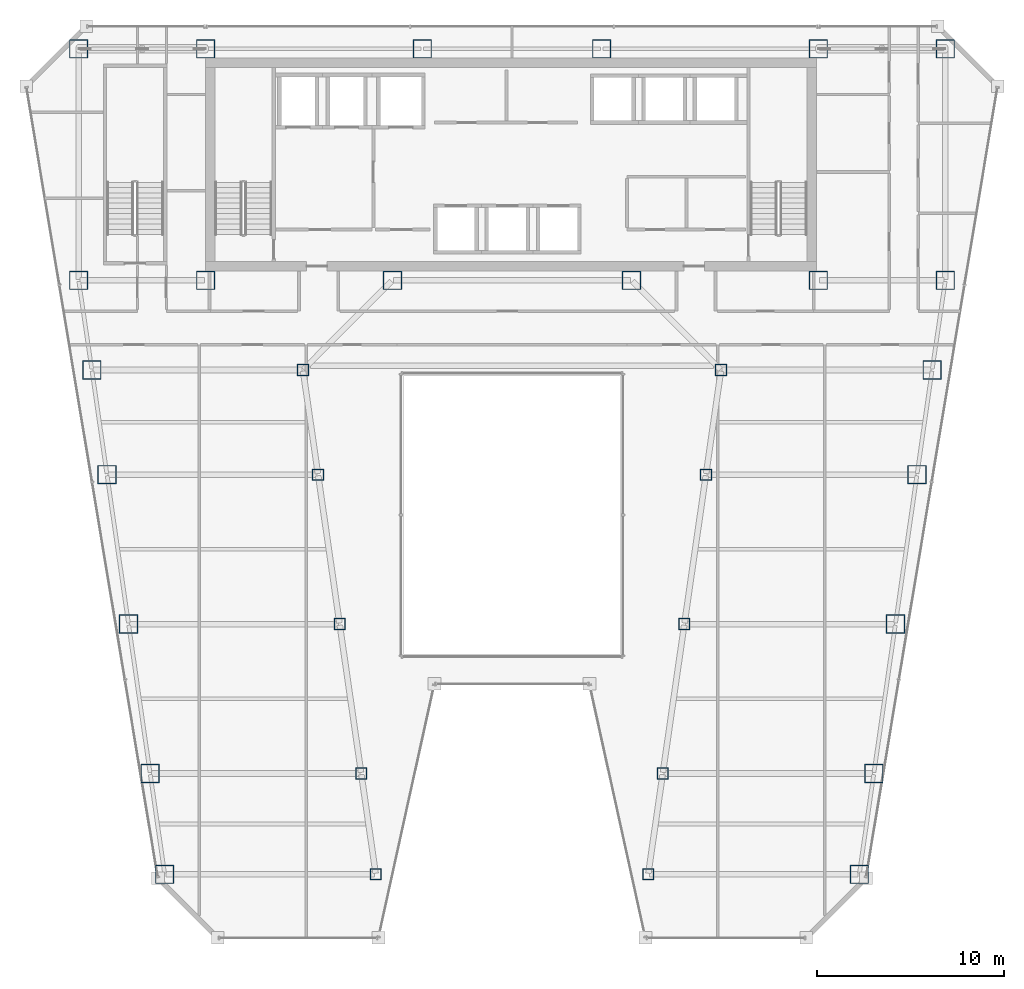
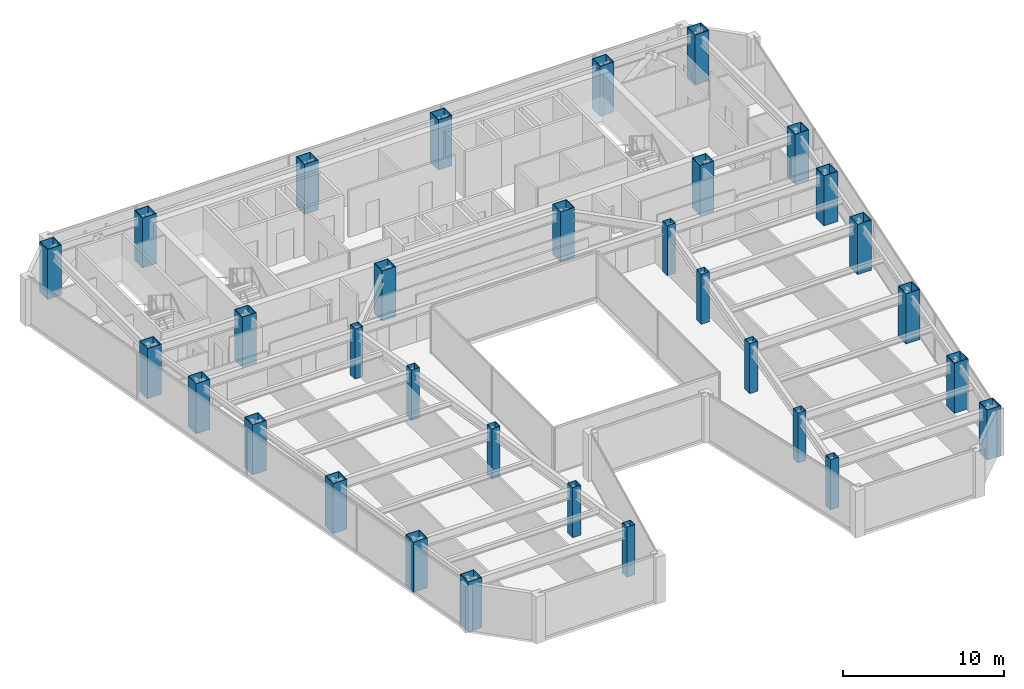
# One storey, part 1 of 38: 32 columns.
"""IFC4 building model written with IfcOpenShell, lengths in metres."""

from ifc_helpers import new_model, si_unit, direction, frame, origin, origin_2d, place, context, subcontext, project, spatial, hollow_rectangle, extrude, material, material_profile, profile_set, type_object, element, save


model = new_model("IFC4")

# Units and contexts
model_context = context("Model", 3, precision=1e-05, world=origin(), true_north=direction((0.0, 1.0)))
body_context = subcontext(model_context, "Body", "Model", "MODEL_VIEW")
ifc_project = project(units=[si_unit("LENGTHUNIT", "METRE"), si_unit("AREAUNIT", "SQUARE_METRE"), si_unit("VOLUMEUNIT", "CUBIC_METRE"), si_unit("PLANEANGLEUNIT", "RADIAN"), si_unit("MASSUNIT", "GRAM", prefix="KILO")], contexts=[model_context])

# Site, building, storey
site_placement = place(None, origin())
site = spatial("IfcSite", under=ifc_project, at=site_placement, CompositionType="ELEMENT")
building_placement = place(site_placement, origin())
building = spatial("IfcBuilding", under=site, at=building_placement, Name="Saevonmaru Cultural Tower", CompositionType="ELEMENT")
storey_placement = place(building_placement, frame((0.0, 0.0, 133.39990234375)))
storey = spatial("IfcBuildingStorey", under=building, at=storey_placement, Name="L28", CompositionType="ELEMENT", Elevation=133.39990234375)

# Columns
ifc_material_1 = material(Name="Steel SM420", Category="steel")
ifc_material_profile_1 = material_profile(ifc_material_1, hollow_rectangle(XDim=1.0, YDim=1.0, WallThickness=0.044921875, at=origin_2d()), Name="BOX-1000x1000x45")
ifc_profile_set_1 = profile_set([ifc_material_profile_1], Name="Steel SM420")
column_type_1 = type_object("IfcColumnType", Name="COL-BOX-1000", PredefinedType="COLUMN", material=ifc_profile_set_1)
for number, where, z_axis, x_axis, name in (
    (1, (6.800048828125, 54.800048828125, 0.0), (0.0, 0.0, 1.0), (1.0, 0.0, 0.0), "L28 Column TC-N1N"),
    (2, (13.60009765625, 54.800048828125, 0.0), (0.0, 0.0, 1.0), (1.0, 0.0, 0.0), "L28 Column TC-N2N"),
    (3, (25.199951171875, 54.800048828125, 0.0), (0.0, 0.0, 1.0), (1.0, 0.0, 0.0), "L28 Column TC-N3N"),
    (4, (34.800048828125, 54.800048828125, 0.0), (0.0, 0.0, 1.0), (1.0, 0.0, 0.0), "L28 Column TC-N4N"),
    (5, (46.39990234375, 54.800048828125, 0.0), (0.0, 0.0, 1.0), (1.0, 0.0, 0.0), "L28 Column TC-N5N"),
    (6, (53.199951171875, 54.800048828125, 0.0), (0.0, 0.0, 1.0), (1.0, 0.0, 0.0), "L28 Column TC-N6N"),
    (7, (6.800048828125, 42.39990234375, 0.0), (0.0, 0.0, 1.0), (1.0, 0.0, 0.0), "L28 Column TC-S1C"),
    (8, (13.60009765625, 42.39990234375, 0.0), (0.0, 0.0, 1.0), (1.0, 0.0, 0.0), "L28 Column TC-S2C"),
    (9, (23.60009765625, 42.39990234375, 0.0), (0.0, 0.0, 1.0), (1.0, 0.0, 0.0), "L28 Column TC-S3C"),
    (10, (36.39990234375, 42.39990234375, 0.0), (0.0, 0.0, 1.0), (1.0, 0.0, 0.0), "L28 Column TC-S4C"),
    (11, (46.39990234375, 42.39990234375, 0.0), (0.0, 0.0, 1.0), (1.0, 0.0, 0.0), "L28 Column TC-S5C"),
    (12, (53.199951171875, 42.39990234375, 0.0), (0.0, 0.0, 1.0), (1.0, 0.0, 0.0), "L28 Column TC-S6C"),
    (13, (11.407958984375, 10.60009765625, 0.0), (0.0, 0.0, 1.0), (1.0, 0.0, 0.0), "L28 Column TC-WO-Y106"),
    (14, (48.592041015625, 10.60009765625, 0.0), (0.0, 0.0, 1.0), (1.0, 0.0, 0.0), "L28 Column TC-EO-Y106"),
    (15, (10.6279296875, 16.0, 0.0), (0.0, 0.0, 1.0), (1.0, 0.0, 0.0), "L28 Column TC-WO-Y160"),
    (16, (49.3720703125, 16.0, 0.0), (0.0, 0.0, 1.0), (1.0, 0.0, 0.0), "L28 Column TC-EO-Y160"),
    (17, (9.471923828125, 24.0, 0.0), (0.0, 0.0, 1.0), (1.0, 0.0, 0.0), "L28 Column TC-WO-Y240"),
    (18, (50.528076171875, 24.0, 0.0), (0.0, 0.0, 1.0), (1.0, 0.0, 0.0), "L28 Column TC-EO-Y240"),
    (19, (8.31689453125, 32.0, 0.0), (0.0, 0.0, 1.0), (1.0, 0.0, 0.0), "L28 Column TC-WO-Y320"),
    (20, (51.68310546875, 32.0, 0.0), (0.0, 0.0, 1.0), (1.0, 0.0, 0.0), "L28 Column TC-EO-Y320"),
    (21, (7.508056640625, 37.60009765625, 0.0), (0.0, 0.0, 1.0), (1.0, 0.0, 0.0), "L28 Column TC-WO-Y376"),
    (22, (52.491943359375, 37.60009765625, 0.0), (0.0, 0.0, 1.0), (1.0, 0.0, 0.0), "L28 Column TC-EO-Y376"),
):
    element("IfcColumn", number, at=place(storey_placement, frame(where, z_axis=z_axis, x_axis=x_axis)), inside=storey, type_object=column_type_1, Name=name, PredefinedType="COLUMN", context=body_context, shape_type="SweptSolid", body=[
        extrude(hollow_rectangle(XDim=1.0, YDim=1.0, WallThickness=0.044921875, at=origin_2d()), origin(), (0.0, 0.0, 1.0), 3.800048828125),
    ])
ifc_material_2 = material(Name="Steel SM355", Category="steel")
ifc_material_profile_2 = material_profile(ifc_material_2, hollow_rectangle(XDim=0.60009765625, YDim=0.60009765625, WallThickness=0.028076171875, at=origin_2d()), Name="BOX-600x600x28")
ifc_profile_set_2 = profile_set([ifc_material_profile_2], Name="Steel SM355")
column_type_2 = type_object("IfcColumnType", Name="COL-BOX-600", PredefinedType="COLUMN", material=ifc_profile_set_2)
for number, where, z_axis, x_axis, name in (
    (23, (22.7080078125, 10.60009765625, 0.0), (0.0, 0.0, 1.0), (1.0, 0.0, 0.0), "L28 Column TC-WI-Y106"),
    (24, (37.2919921875, 10.60009765625, 0.0), (0.0, 0.0, 1.0), (1.0, 0.0, 0.0), "L28 Column TC-EI-Y106"),
    (25, (21.927978515625, 16.0, 0.0), (0.0, 0.0, 1.0), (1.0, 0.0, 0.0), "L28 Column TC-WI-Y160"),
    (26, (38.072021484375, 16.0, 0.0), (0.0, 0.0, 1.0), (1.0, 0.0, 0.0), "L28 Column TC-EI-Y160"),
    (27, (20.77197265625, 24.0, 0.0), (0.0, 0.0, 1.0), (1.0, 0.0, 0.0), "L28 Column TC-WI-Y240"),
    (28, (39.22802734375, 24.0, 0.0), (0.0, 0.0, 1.0), (1.0, 0.0, 0.0), "L28 Column TC-EI-Y240"),
    (29, (19.616943359375, 32.0, 0.0), (0.0, 0.0, 1.0), (1.0, 0.0, 0.0), "L28 Column TC-WI-Y320"),
    (30, (40.383056640625, 32.0, 0.0), (0.0, 0.0, 1.0), (1.0, 0.0, 0.0), "L28 Column TC-EI-Y320"),
    (31, (18.80810546875, 37.60009765625, 0.0), (0.0, 0.0, 1.0), (1.0, 0.0, 0.0), "L28 Column TC-WI-Y376"),
    (32, (41.19189453125, 37.60009765625, 0.0), (0.0, 0.0, 1.0), (1.0, 0.0, 0.0), "L28 Column TC-EI-Y376"),
):
    element("IfcColumn", number, at=place(storey_placement, frame(where, z_axis=z_axis, x_axis=x_axis)), inside=storey, type_object=column_type_2, Name=name, PredefinedType="COLUMN", context=body_context, shape_type="SweptSolid", body=[
        extrude(hollow_rectangle(XDim=0.60009765625, YDim=0.60009765625, WallThickness=0.028076171875, at=origin_2d()), origin(), (0.0, 0.0, 1.0), 3.800048828125),
    ])

save(model, "model.ifc")
